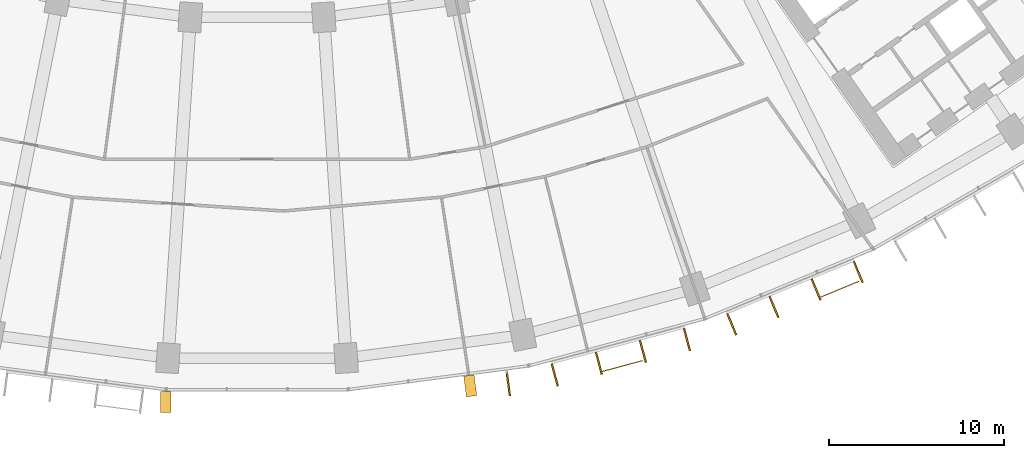
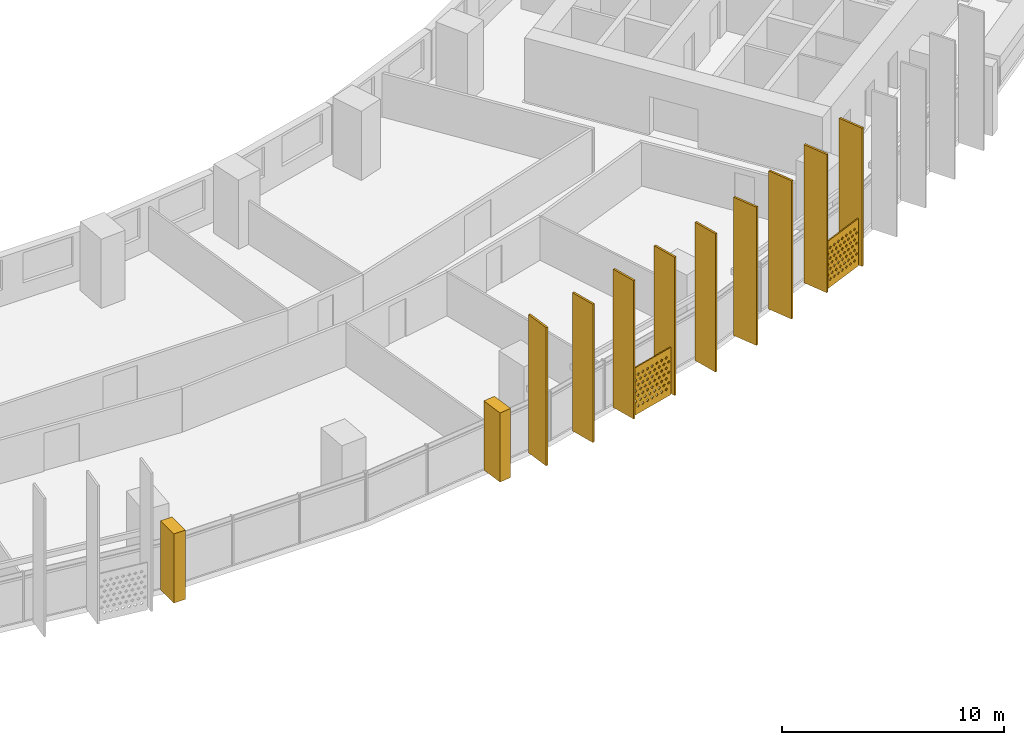
# One storey, part 30 of 32: 13 shading devices.
"""IFC4 building model written with IfcOpenShell, lengths in metres."""

from ifc_helpers import new_model, si_unit, direction, frame, origin, origin_2d, place, context, subcontext, project, spatial, polyline, rectangle, outline, extrude, material, material_profile, profile_set, type_object, element, save


model = new_model("IFC4")

# Units and contexts
model_context = context("Model", 3, precision=1e-05, world=origin(), true_north=direction((0.0, 1.0)))
body_context = subcontext(model_context, "Body", "Model", "MODEL_VIEW")
ifc_project = project(units=[si_unit("LENGTHUNIT", "METRE"), si_unit("AREAUNIT", "SQUARE_METRE"), si_unit("VOLUMEUNIT", "CUBIC_METRE"), si_unit("PLANEANGLEUNIT", "RADIAN"), si_unit("MASSUNIT", "GRAM", prefix="KILO")], contexts=[model_context])

# Site, building, storey
site_placement = place(None, origin())
site = spatial("IfcSite", under=ifc_project, at=site_placement, CompositionType="ELEMENT")
building_placement = place(site_placement, origin())
building = spatial("IfcBuilding", under=site, at=building_placement, Name="Qamariyya Broadcast Tower", CompositionType="ELEMENT")
storey_placement = place(building_placement, frame((0.0, 0.0, 70.89990234375)))
storey = spatial("IfcBuildingStorey", under=building, at=storey_placement, Name="L14", CompositionType="ELEMENT", Elevation=70.89990234375)

# Shading devices
ifc_material_1 = material(Name="Steel S355 powder coated deep red", Category="steel")
shading_device_type_1 = type_object("IfcShadingDeviceType", Name="Deep red frame, powder coated steel box section", PredefinedType="USERDEFINED", material=ifc_material_1)
shading_device_1_placement = place(storey_placement, origin())
element("IfcShadingDevice", 1, at=shading_device_1_placement, inside=storey, type_object=shading_device_type_1, Name="e-frm-B1-F3-posta-L14", ObjectType="FRAME", PredefinedType="USERDEFINED", context=body_context, shape_type="SweptSolid", body=[
    extrude(outline(polyline([(-5.50927734375, -79.4794921875), (-5.50927734375, -80.679443359375), (-4.909423828125, -80.679443359375), (-4.909423828125, -79.4794921875), (-5.50927734375, -79.4794921875)])), origin(), (0.0, 0.0, 1.0), 3.800048828125),
])
shading_device_2_placement = place(storey_placement, origin())
element("IfcShadingDevice", 2, at=shading_device_2_placement, inside=storey, type_object=shading_device_type_1, Name="e-frm-B1-F3-postb-L14", ObjectType="FRAME", PredefinedType="USERDEFINED", context=body_context, shape_type="SweptSolid", body=[
    extrude(outline(polyline([(11.79833984375, -78.612060546875), (11.954833984375, -79.8017578125), (12.5498046875, -79.723388671875), (12.39306640625, -78.53369140625), (11.79833984375, -78.612060546875)])), origin(), (0.0, 0.0, 1.0), 3.800048828125),
])
ifc_material_2 = material(Name="Perforated glazed terracotta", Category="masonry")
ifc_material_profile_1 = material_profile(ifc_material_2, outline(polyline([(-1.199951171875, -1.300048828125), (1.199951171875, -1.300048828125), (1.199951171875, 1.300048828125), (-1.199951171875, 1.300048828125), (-1.199951171875, -1.300048828125)]), holes=[polyline([(-0.81494140625, -0.86669921875), (-0.89990234375, -0.78173828125), (-0.985107421875, -0.86669921875), (-0.89990234375, -0.95166015625), (-0.81494140625, -0.86669921875)]), polyline([(-0.514892578125, -0.86669921875), (-0.60009765625, -0.78173828125), (-0.68505859375, -0.86669921875), (-0.60009765625, -0.95166015625), (-0.514892578125, -0.86669921875)]), polyline([(-0.215087890625, -0.86669921875), (-0.300048828125, -0.78173828125), (-0.385009765625, -0.86669921875), (-0.300048828125, -0.95166015625), (-0.215087890625, -0.86669921875)]), polyline([(0.0849609375, -0.86669921875), (0.0, -0.78173828125), (-0.0849609375, -0.86669921875), (0.0, -0.95166015625), (0.0849609375, -0.86669921875)]), polyline([(0.385009765625, -0.86669921875), (0.300048828125, -0.78173828125), (0.215087890625, -0.86669921875), (0.300048828125, -0.95166015625), (0.385009765625, -0.86669921875)]), polyline([(0.68505859375, -0.86669921875), (0.60009765625, -0.78173828125), (0.514892578125, -0.86669921875), (0.60009765625, -0.95166015625), (0.68505859375, -0.86669921875)]), polyline([(0.985107421875, -0.86669921875), (0.89990234375, -0.78173828125), (0.81494140625, -0.86669921875), (0.89990234375, -0.95166015625), (0.985107421875, -0.86669921875)]), polyline([(-0.965087890625, -0.577880859375), (-1.050048828125, -0.49267578125), (-1.135009765625, -0.577880859375), (-1.050048828125, -0.662841796875), (-0.965087890625, -0.577880859375)]), polyline([(-0.6650390625, -0.577880859375), (-0.75, -0.49267578125), (-0.8349609375, -0.577880859375), (-0.75, -0.662841796875), (-0.6650390625, -0.577880859375)]), polyline([(-0.364990234375, -0.577880859375), (-0.449951171875, -0.49267578125), (-0.534912109375, -0.577880859375), (-0.449951171875, -0.662841796875), (-0.364990234375, -0.577880859375)]), polyline([(-0.06494140625, -0.577880859375), (-0.14990234375, -0.49267578125), (-0.235107421875, -0.577880859375), (-0.14990234375, -0.662841796875), (-0.06494140625, -0.577880859375)]), polyline([(0.235107421875, -0.577880859375), (0.14990234375, -0.49267578125), (0.06494140625, -0.577880859375), (0.14990234375, -0.662841796875), (0.235107421875, -0.577880859375)]), polyline([(0.534912109375, -0.577880859375), (0.449951171875, -0.49267578125), (0.364990234375, -0.577880859375), (0.449951171875, -0.662841796875), (0.534912109375, -0.577880859375)]), polyline([(0.8349609375, -0.577880859375), (0.75, -0.49267578125), (0.6650390625, -0.577880859375), (0.75, -0.662841796875), (0.8349609375, -0.577880859375)]), polyline([(1.135009765625, -0.577880859375), (1.050048828125, -0.49267578125), (0.965087890625, -0.577880859375), (1.050048828125, -0.662841796875), (1.135009765625, -0.577880859375)]), polyline([(-0.81494140625, -0.288818359375), (-0.89990234375, -0.203857421875), (-0.985107421875, -0.288818359375), (-0.89990234375, -0.373779296875), (-0.81494140625, -0.288818359375)]), polyline([(-0.514892578125, -0.288818359375), (-0.60009765625, -0.203857421875), (-0.68505859375, -0.288818359375), (-0.60009765625, -0.373779296875), (-0.514892578125, -0.288818359375)]), polyline([(-0.215087890625, -0.288818359375), (-0.300048828125, -0.203857421875), (-0.385009765625, -0.288818359375), (-0.300048828125, -0.373779296875), (-0.215087890625, -0.288818359375)]), polyline([(0.0849609375, -0.288818359375), (0.0, -0.203857421875), (-0.0849609375, -0.288818359375), (0.0, -0.373779296875), (0.0849609375, -0.288818359375)]), polyline([(0.385009765625, -0.288818359375), (0.300048828125, -0.203857421875), (0.215087890625, -0.288818359375), (0.300048828125, -0.373779296875), (0.385009765625, -0.288818359375)]), polyline([(0.68505859375, -0.288818359375), (0.60009765625, -0.203857421875), (0.514892578125, -0.288818359375), (0.60009765625, -0.373779296875), (0.68505859375, -0.288818359375)]), polyline([(0.985107421875, -0.288818359375), (0.89990234375, -0.203857421875), (0.81494140625, -0.288818359375), (0.89990234375, -0.373779296875), (0.985107421875, -0.288818359375)]), polyline([(-0.965087890625, 0.0), (-1.050048828125, 0.0849609375), (-1.135009765625, 0.0), (-1.050048828125, -0.0849609375), (-0.965087890625, 0.0)]), polyline([(-0.6650390625, 0.0), (-0.75, 0.0849609375), (-0.8349609375, 0.0), (-0.75, -0.0849609375), (-0.6650390625, 0.0)]), polyline([(-0.364990234375, 0.0), (-0.449951171875, 0.0849609375), (-0.534912109375, 0.0), (-0.449951171875, -0.0849609375), (-0.364990234375, 0.0)]), polyline([(-0.06494140625, 0.0), (-0.14990234375, 0.0849609375), (-0.235107421875, 0.0), (-0.14990234375, -0.0849609375), (-0.06494140625, 0.0)]), polyline([(0.235107421875, 0.0), (0.14990234375, 0.0849609375), (0.06494140625, 0.0), (0.14990234375, -0.0849609375), (0.235107421875, 0.0)]), polyline([(0.534912109375, 0.0), (0.449951171875, 0.0849609375), (0.364990234375, 0.0), (0.449951171875, -0.0849609375), (0.534912109375, 0.0)]), polyline([(0.8349609375, 0.0), (0.75, 0.0849609375), (0.6650390625, 0.0), (0.75, -0.0849609375), (0.8349609375, 0.0)]), polyline([(1.135009765625, 0.0), (1.050048828125, 0.0849609375), (0.965087890625, 0.0), (1.050048828125, -0.0849609375), (1.135009765625, 0.0)]), polyline([(-0.81494140625, 0.288818359375), (-0.89990234375, 0.373779296875), (-0.985107421875, 0.288818359375), (-0.89990234375, 0.203857421875), (-0.81494140625, 0.288818359375)]), polyline([(-0.514892578125, 0.288818359375), (-0.60009765625, 0.373779296875), (-0.68505859375, 0.288818359375), (-0.60009765625, 0.203857421875), (-0.514892578125, 0.288818359375)]), polyline([(-0.215087890625, 0.288818359375), (-0.300048828125, 0.373779296875), (-0.385009765625, 0.288818359375), (-0.300048828125, 0.203857421875), (-0.215087890625, 0.288818359375)]), polyline([(0.0849609375, 0.288818359375), (0.0, 0.373779296875), (-0.0849609375, 0.288818359375), (0.0, 0.203857421875), (0.0849609375, 0.288818359375)]), polyline([(0.385009765625, 0.288818359375), (0.300048828125, 0.373779296875), (0.215087890625, 0.288818359375), (0.300048828125, 0.203857421875), (0.385009765625, 0.288818359375)]), polyline([(0.68505859375, 0.288818359375), (0.60009765625, 0.373779296875), (0.514892578125, 0.288818359375), (0.60009765625, 0.203857421875), (0.68505859375, 0.288818359375)]), polyline([(0.985107421875, 0.288818359375), (0.89990234375, 0.373779296875), (0.81494140625, 0.288818359375), (0.89990234375, 0.203857421875), (0.985107421875, 0.288818359375)]), polyline([(-0.965087890625, 0.577880859375), (-1.050048828125, 0.662841796875), (-1.135009765625, 0.577880859375), (-1.050048828125, 0.49267578125), (-0.965087890625, 0.577880859375)]), polyline([(-0.6650390625, 0.577880859375), (-0.75, 0.662841796875), (-0.8349609375, 0.577880859375), (-0.75, 0.49267578125), (-0.6650390625, 0.577880859375)]), polyline([(-0.364990234375, 0.577880859375), (-0.449951171875, 0.662841796875), (-0.534912109375, 0.577880859375), (-0.449951171875, 0.49267578125), (-0.364990234375, 0.577880859375)]), polyline([(-0.06494140625, 0.577880859375), (-0.14990234375, 0.662841796875), (-0.235107421875, 0.577880859375), (-0.14990234375, 0.49267578125), (-0.06494140625, 0.577880859375)]), polyline([(0.235107421875, 0.577880859375), (0.14990234375, 0.662841796875), (0.06494140625, 0.577880859375), (0.14990234375, 0.49267578125), (0.235107421875, 0.577880859375)]), polyline([(0.534912109375, 0.577880859375), (0.449951171875, 0.662841796875), (0.364990234375, 0.577880859375), (0.449951171875, 0.49267578125), (0.534912109375, 0.577880859375)]), polyline([(0.8349609375, 0.577880859375), (0.75, 0.662841796875), (0.6650390625, 0.577880859375), (0.75, 0.49267578125), (0.8349609375, 0.577880859375)]), polyline([(1.135009765625, 0.577880859375), (1.050048828125, 0.662841796875), (0.965087890625, 0.577880859375), (1.050048828125, 0.49267578125), (1.135009765625, 0.577880859375)]), polyline([(-0.81494140625, 0.86669921875), (-0.89990234375, 0.95166015625), (-0.985107421875, 0.86669921875), (-0.89990234375, 0.78173828125), (-0.81494140625, 0.86669921875)]), polyline([(-0.514892578125, 0.86669921875), (-0.60009765625, 0.95166015625), (-0.68505859375, 0.86669921875), (-0.60009765625, 0.78173828125), (-0.514892578125, 0.86669921875)]), polyline([(-0.215087890625, 0.86669921875), (-0.300048828125, 0.95166015625), (-0.385009765625, 0.86669921875), (-0.300048828125, 0.78173828125), (-0.215087890625, 0.86669921875)]), polyline([(0.0849609375, 0.86669921875), (0.0, 0.95166015625), (-0.0849609375, 0.86669921875), (0.0, 0.78173828125), (0.0849609375, 0.86669921875)]), polyline([(0.385009765625, 0.86669921875), (0.300048828125, 0.95166015625), (0.215087890625, 0.86669921875), (0.300048828125, 0.78173828125), (0.385009765625, 0.86669921875)]), polyline([(0.68505859375, 0.86669921875), (0.60009765625, 0.95166015625), (0.514892578125, 0.86669921875), (0.60009765625, 0.78173828125), (0.68505859375, 0.86669921875)]), polyline([(0.985107421875, 0.86669921875), (0.89990234375, 0.95166015625), (0.81494140625, 0.86669921875), (0.89990234375, 0.78173828125), (0.985107421875, 0.86669921875)])]))
ifc_profile_set_1 = profile_set([ifc_material_profile_1], Name="Perforated glazed terracotta")
shading_device_type_2 = type_object("IfcShadingDeviceType", Name="Perforated terracotta screen 2400 x 2600", PredefinedType="USERDEFINED", material=ifc_profile_set_1)
shading_device_3_placement = place(storey_placement, frame((20.848876953125, -78.011474609375, 1.35009765625), z_axis=(0.259682438219, -0.965694067125, 0.0), x_axis=(0.965694067125, 0.259682438219, 0.0)))
element("IfcShadingDevice", 3, at=shading_device_3_placement, inside=storey, type_object=shading_device_type_2, Name="e-scr-L14-10-1", ObjectType="SCREEN", PredefinedType="USERDEFINED", context=body_context, shape_type="SweptSolid", body=[
    extrude(outline(polyline([(-1.199951171875, -1.300048828125), (1.199951171875, -1.300048828125), (1.199951171875, 1.300048828125), (-1.199951171875, 1.300048828125), (-1.199951171875, -1.300048828125)]), holes=[polyline([(-0.81494140625, -0.86669921875), (-0.89990234375, -0.78173828125), (-0.985107421875, -0.86669921875), (-0.89990234375, -0.95166015625), (-0.81494140625, -0.86669921875)]), polyline([(-0.514892578125, -0.86669921875), (-0.60009765625, -0.78173828125), (-0.68505859375, -0.86669921875), (-0.60009765625, -0.95166015625), (-0.514892578125, -0.86669921875)]), polyline([(-0.215087890625, -0.86669921875), (-0.300048828125, -0.78173828125), (-0.385009765625, -0.86669921875), (-0.300048828125, -0.95166015625), (-0.215087890625, -0.86669921875)]), polyline([(0.0849609375, -0.86669921875), (0.0, -0.78173828125), (-0.0849609375, -0.86669921875), (0.0, -0.95166015625), (0.0849609375, -0.86669921875)]), polyline([(0.385009765625, -0.86669921875), (0.300048828125, -0.78173828125), (0.215087890625, -0.86669921875), (0.300048828125, -0.95166015625), (0.385009765625, -0.86669921875)]), polyline([(0.68505859375, -0.86669921875), (0.60009765625, -0.78173828125), (0.514892578125, -0.86669921875), (0.60009765625, -0.95166015625), (0.68505859375, -0.86669921875)]), polyline([(0.985107421875, -0.86669921875), (0.89990234375, -0.78173828125), (0.81494140625, -0.86669921875), (0.89990234375, -0.95166015625), (0.985107421875, -0.86669921875)]), polyline([(-0.965087890625, -0.577880859375), (-1.050048828125, -0.49267578125), (-1.135009765625, -0.577880859375), (-1.050048828125, -0.662841796875), (-0.965087890625, -0.577880859375)]), polyline([(-0.6650390625, -0.577880859375), (-0.75, -0.49267578125), (-0.8349609375, -0.577880859375), (-0.75, -0.662841796875), (-0.6650390625, -0.577880859375)]), polyline([(-0.364990234375, -0.577880859375), (-0.449951171875, -0.49267578125), (-0.534912109375, -0.577880859375), (-0.449951171875, -0.662841796875), (-0.364990234375, -0.577880859375)]), polyline([(-0.06494140625, -0.577880859375), (-0.14990234375, -0.49267578125), (-0.235107421875, -0.577880859375), (-0.14990234375, -0.662841796875), (-0.06494140625, -0.577880859375)]), polyline([(0.235107421875, -0.577880859375), (0.14990234375, -0.49267578125), (0.06494140625, -0.577880859375), (0.14990234375, -0.662841796875), (0.235107421875, -0.577880859375)]), polyline([(0.534912109375, -0.577880859375), (0.449951171875, -0.49267578125), (0.364990234375, -0.577880859375), (0.449951171875, -0.662841796875), (0.534912109375, -0.577880859375)]), polyline([(0.8349609375, -0.577880859375), (0.75, -0.49267578125), (0.6650390625, -0.577880859375), (0.75, -0.662841796875), (0.8349609375, -0.577880859375)]), polyline([(1.135009765625, -0.577880859375), (1.050048828125, -0.49267578125), (0.965087890625, -0.577880859375), (1.050048828125, -0.662841796875), (1.135009765625, -0.577880859375)]), polyline([(-0.81494140625, -0.288818359375), (-0.89990234375, -0.203857421875), (-0.985107421875, -0.288818359375), (-0.89990234375, -0.373779296875), (-0.81494140625, -0.288818359375)]), polyline([(-0.514892578125, -0.288818359375), (-0.60009765625, -0.203857421875), (-0.68505859375, -0.288818359375), (-0.60009765625, -0.373779296875), (-0.514892578125, -0.288818359375)]), polyline([(-0.215087890625, -0.288818359375), (-0.300048828125, -0.203857421875), (-0.385009765625, -0.288818359375), (-0.300048828125, -0.373779296875), (-0.215087890625, -0.288818359375)]), polyline([(0.0849609375, -0.288818359375), (0.0, -0.203857421875), (-0.0849609375, -0.288818359375), (0.0, -0.373779296875), (0.0849609375, -0.288818359375)]), polyline([(0.385009765625, -0.288818359375), (0.300048828125, -0.203857421875), (0.215087890625, -0.288818359375), (0.300048828125, -0.373779296875), (0.385009765625, -0.288818359375)]), polyline([(0.68505859375, -0.288818359375), (0.60009765625, -0.203857421875), (0.514892578125, -0.288818359375), (0.60009765625, -0.373779296875), (0.68505859375, -0.288818359375)]), polyline([(0.985107421875, -0.288818359375), (0.89990234375, -0.203857421875), (0.81494140625, -0.288818359375), (0.89990234375, -0.373779296875), (0.985107421875, -0.288818359375)]), polyline([(-0.965087890625, 0.0), (-1.050048828125, 0.0849609375), (-1.135009765625, 0.0), (-1.050048828125, -0.0849609375), (-0.965087890625, 0.0)]), polyline([(-0.6650390625, 0.0), (-0.75, 0.0849609375), (-0.8349609375, 0.0), (-0.75, -0.0849609375), (-0.6650390625, 0.0)]), polyline([(-0.364990234375, 0.0), (-0.449951171875, 0.0849609375), (-0.534912109375, 0.0), (-0.449951171875, -0.0849609375), (-0.364990234375, 0.0)]), polyline([(-0.06494140625, 0.0), (-0.14990234375, 0.0849609375), (-0.235107421875, 0.0), (-0.14990234375, -0.0849609375), (-0.06494140625, 0.0)]), polyline([(0.235107421875, 0.0), (0.14990234375, 0.0849609375), (0.06494140625, 0.0), (0.14990234375, -0.0849609375), (0.235107421875, 0.0)]), polyline([(0.534912109375, 0.0), (0.449951171875, 0.0849609375), (0.364990234375, 0.0), (0.449951171875, -0.0849609375), (0.534912109375, 0.0)]), polyline([(0.8349609375, 0.0), (0.75, 0.0849609375), (0.6650390625, 0.0), (0.75, -0.0849609375), (0.8349609375, 0.0)]), polyline([(1.135009765625, 0.0), (1.050048828125, 0.0849609375), (0.965087890625, 0.0), (1.050048828125, -0.0849609375), (1.135009765625, 0.0)]), polyline([(-0.81494140625, 0.288818359375), (-0.89990234375, 0.373779296875), (-0.985107421875, 0.288818359375), (-0.89990234375, 0.203857421875), (-0.81494140625, 0.288818359375)]), polyline([(-0.514892578125, 0.288818359375), (-0.60009765625, 0.373779296875), (-0.68505859375, 0.288818359375), (-0.60009765625, 0.203857421875), (-0.514892578125, 0.288818359375)]), polyline([(-0.215087890625, 0.288818359375), (-0.300048828125, 0.373779296875), (-0.385009765625, 0.288818359375), (-0.300048828125, 0.203857421875), (-0.215087890625, 0.288818359375)]), polyline([(0.0849609375, 0.288818359375), (0.0, 0.373779296875), (-0.0849609375, 0.288818359375), (0.0, 0.203857421875), (0.0849609375, 0.288818359375)]), polyline([(0.385009765625, 0.288818359375), (0.300048828125, 0.373779296875), (0.215087890625, 0.288818359375), (0.300048828125, 0.203857421875), (0.385009765625, 0.288818359375)]), polyline([(0.68505859375, 0.288818359375), (0.60009765625, 0.373779296875), (0.514892578125, 0.288818359375), (0.60009765625, 0.203857421875), (0.68505859375, 0.288818359375)]), polyline([(0.985107421875, 0.288818359375), (0.89990234375, 0.373779296875), (0.81494140625, 0.288818359375), (0.89990234375, 0.203857421875), (0.985107421875, 0.288818359375)]), polyline([(-0.965087890625, 0.577880859375), (-1.050048828125, 0.662841796875), (-1.135009765625, 0.577880859375), (-1.050048828125, 0.49267578125), (-0.965087890625, 0.577880859375)]), polyline([(-0.6650390625, 0.577880859375), (-0.75, 0.662841796875), (-0.8349609375, 0.577880859375), (-0.75, 0.49267578125), (-0.6650390625, 0.577880859375)]), polyline([(-0.364990234375, 0.577880859375), (-0.449951171875, 0.662841796875), (-0.534912109375, 0.577880859375), (-0.449951171875, 0.49267578125), (-0.364990234375, 0.577880859375)]), polyline([(-0.06494140625, 0.577880859375), (-0.14990234375, 0.662841796875), (-0.235107421875, 0.577880859375), (-0.14990234375, 0.49267578125), (-0.06494140625, 0.577880859375)]), polyline([(0.235107421875, 0.577880859375), (0.14990234375, 0.662841796875), (0.06494140625, 0.577880859375), (0.14990234375, 0.49267578125), (0.235107421875, 0.577880859375)]), polyline([(0.534912109375, 0.577880859375), (0.449951171875, 0.662841796875), (0.364990234375, 0.577880859375), (0.449951171875, 0.49267578125), (0.534912109375, 0.577880859375)]), polyline([(0.8349609375, 0.577880859375), (0.75, 0.662841796875), (0.6650390625, 0.577880859375), (0.75, 0.49267578125), (0.8349609375, 0.577880859375)]), polyline([(1.135009765625, 0.577880859375), (1.050048828125, 0.662841796875), (0.965087890625, 0.577880859375), (1.050048828125, 0.49267578125), (1.135009765625, 0.577880859375)]), polyline([(-0.81494140625, 0.86669921875), (-0.89990234375, 0.95166015625), (-0.985107421875, 0.86669921875), (-0.89990234375, 0.78173828125), (-0.81494140625, 0.86669921875)]), polyline([(-0.514892578125, 0.86669921875), (-0.60009765625, 0.95166015625), (-0.68505859375, 0.86669921875), (-0.60009765625, 0.78173828125), (-0.514892578125, 0.86669921875)]), polyline([(-0.215087890625, 0.86669921875), (-0.300048828125, 0.95166015625), (-0.385009765625, 0.86669921875), (-0.300048828125, 0.78173828125), (-0.215087890625, 0.86669921875)]), polyline([(0.0849609375, 0.86669921875), (0.0, 0.95166015625), (-0.0849609375, 0.86669921875), (0.0, 0.78173828125), (0.0849609375, 0.86669921875)]), polyline([(0.385009765625, 0.86669921875), (0.300048828125, 0.95166015625), (0.215087890625, 0.86669921875), (0.300048828125, 0.78173828125), (0.385009765625, 0.86669921875)]), polyline([(0.68505859375, 0.86669921875), (0.60009765625, 0.95166015625), (0.514892578125, 0.86669921875), (0.60009765625, 0.78173828125), (0.68505859375, 0.86669921875)]), polyline([(0.985107421875, 0.86669921875), (0.89990234375, 0.95166015625), (0.81494140625, 0.86669921875), (0.89990234375, 0.78173828125), (0.985107421875, 0.86669921875)])]), origin(), (0.0, 0.0, 1.0), 0.06005859375),
])
shading_device_4_placement = place(storey_placement, frame((33.259521484375, -73.6259765625, 1.35009765625), z_axis=(0.382591441855, -0.923917630863, 0.0), x_axis=(0.923917630863, 0.382591441855, 0.0)))
element("IfcShadingDevice", 4, at=shading_device_4_placement, inside=storey, type_object=shading_device_type_2, Name="e-scr-L14-11-2", ObjectType="SCREEN", PredefinedType="USERDEFINED", context=body_context, shape_type="SweptSolid", body=[
    extrude(outline(polyline([(-1.199951171875, -1.300048828125), (1.199951171875, -1.300048828125), (1.199951171875, 1.300048828125), (-1.199951171875, 1.300048828125), (-1.199951171875, -1.300048828125)]), holes=[polyline([(-0.81494140625, -0.86669921875), (-0.89990234375, -0.78173828125), (-0.985107421875, -0.86669921875), (-0.89990234375, -0.95166015625), (-0.81494140625, -0.86669921875)]), polyline([(-0.514892578125, -0.86669921875), (-0.60009765625, -0.78173828125), (-0.68505859375, -0.86669921875), (-0.60009765625, -0.95166015625), (-0.514892578125, -0.86669921875)]), polyline([(-0.215087890625, -0.86669921875), (-0.300048828125, -0.78173828125), (-0.385009765625, -0.86669921875), (-0.300048828125, -0.95166015625), (-0.215087890625, -0.86669921875)]), polyline([(0.0849609375, -0.86669921875), (0.0, -0.78173828125), (-0.0849609375, -0.86669921875), (0.0, -0.95166015625), (0.0849609375, -0.86669921875)]), polyline([(0.385009765625, -0.86669921875), (0.300048828125, -0.78173828125), (0.215087890625, -0.86669921875), (0.300048828125, -0.95166015625), (0.385009765625, -0.86669921875)]), polyline([(0.68505859375, -0.86669921875), (0.60009765625, -0.78173828125), (0.514892578125, -0.86669921875), (0.60009765625, -0.95166015625), (0.68505859375, -0.86669921875)]), polyline([(0.985107421875, -0.86669921875), (0.89990234375, -0.78173828125), (0.81494140625, -0.86669921875), (0.89990234375, -0.95166015625), (0.985107421875, -0.86669921875)]), polyline([(-0.965087890625, -0.577880859375), (-1.050048828125, -0.49267578125), (-1.135009765625, -0.577880859375), (-1.050048828125, -0.662841796875), (-0.965087890625, -0.577880859375)]), polyline([(-0.6650390625, -0.577880859375), (-0.75, -0.49267578125), (-0.8349609375, -0.577880859375), (-0.75, -0.662841796875), (-0.6650390625, -0.577880859375)]), polyline([(-0.364990234375, -0.577880859375), (-0.449951171875, -0.49267578125), (-0.534912109375, -0.577880859375), (-0.449951171875, -0.662841796875), (-0.364990234375, -0.577880859375)]), polyline([(-0.06494140625, -0.577880859375), (-0.14990234375, -0.49267578125), (-0.235107421875, -0.577880859375), (-0.14990234375, -0.662841796875), (-0.06494140625, -0.577880859375)]), polyline([(0.235107421875, -0.577880859375), (0.14990234375, -0.49267578125), (0.06494140625, -0.577880859375), (0.14990234375, -0.662841796875), (0.235107421875, -0.577880859375)]), polyline([(0.534912109375, -0.577880859375), (0.449951171875, -0.49267578125), (0.364990234375, -0.577880859375), (0.449951171875, -0.662841796875), (0.534912109375, -0.577880859375)]), polyline([(0.8349609375, -0.577880859375), (0.75, -0.49267578125), (0.6650390625, -0.577880859375), (0.75, -0.662841796875), (0.8349609375, -0.577880859375)]), polyline([(1.135009765625, -0.577880859375), (1.050048828125, -0.49267578125), (0.965087890625, -0.577880859375), (1.050048828125, -0.662841796875), (1.135009765625, -0.577880859375)]), polyline([(-0.81494140625, -0.288818359375), (-0.89990234375, -0.203857421875), (-0.985107421875, -0.288818359375), (-0.89990234375, -0.373779296875), (-0.81494140625, -0.288818359375)]), polyline([(-0.514892578125, -0.288818359375), (-0.60009765625, -0.203857421875), (-0.68505859375, -0.288818359375), (-0.60009765625, -0.373779296875), (-0.514892578125, -0.288818359375)]), polyline([(-0.215087890625, -0.288818359375), (-0.300048828125, -0.203857421875), (-0.385009765625, -0.288818359375), (-0.300048828125, -0.373779296875), (-0.215087890625, -0.288818359375)]), polyline([(0.0849609375, -0.288818359375), (0.0, -0.203857421875), (-0.0849609375, -0.288818359375), (0.0, -0.373779296875), (0.0849609375, -0.288818359375)]), polyline([(0.385009765625, -0.288818359375), (0.300048828125, -0.203857421875), (0.215087890625, -0.288818359375), (0.300048828125, -0.373779296875), (0.385009765625, -0.288818359375)]), polyline([(0.68505859375, -0.288818359375), (0.60009765625, -0.203857421875), (0.514892578125, -0.288818359375), (0.60009765625, -0.373779296875), (0.68505859375, -0.288818359375)]), polyline([(0.985107421875, -0.288818359375), (0.89990234375, -0.203857421875), (0.81494140625, -0.288818359375), (0.89990234375, -0.373779296875), (0.985107421875, -0.288818359375)]), polyline([(-0.965087890625, 0.0), (-1.050048828125, 0.0849609375), (-1.135009765625, 0.0), (-1.050048828125, -0.0849609375), (-0.965087890625, 0.0)]), polyline([(-0.6650390625, 0.0), (-0.75, 0.0849609375), (-0.8349609375, 0.0), (-0.75, -0.0849609375), (-0.6650390625, 0.0)]), polyline([(-0.364990234375, 0.0), (-0.449951171875, 0.0849609375), (-0.534912109375, 0.0), (-0.449951171875, -0.0849609375), (-0.364990234375, 0.0)]), polyline([(-0.06494140625, 0.0), (-0.14990234375, 0.0849609375), (-0.235107421875, 0.0), (-0.14990234375, -0.0849609375), (-0.06494140625, 0.0)]), polyline([(0.235107421875, 0.0), (0.14990234375, 0.0849609375), (0.06494140625, 0.0), (0.14990234375, -0.0849609375), (0.235107421875, 0.0)]), polyline([(0.534912109375, 0.0), (0.449951171875, 0.0849609375), (0.364990234375, 0.0), (0.449951171875, -0.0849609375), (0.534912109375, 0.0)]), polyline([(0.8349609375, 0.0), (0.75, 0.0849609375), (0.6650390625, 0.0), (0.75, -0.0849609375), (0.8349609375, 0.0)]), polyline([(1.135009765625, 0.0), (1.050048828125, 0.0849609375), (0.965087890625, 0.0), (1.050048828125, -0.0849609375), (1.135009765625, 0.0)]), polyline([(-0.81494140625, 0.288818359375), (-0.89990234375, 0.373779296875), (-0.985107421875, 0.288818359375), (-0.89990234375, 0.203857421875), (-0.81494140625, 0.288818359375)]), polyline([(-0.514892578125, 0.288818359375), (-0.60009765625, 0.373779296875), (-0.68505859375, 0.288818359375), (-0.60009765625, 0.203857421875), (-0.514892578125, 0.288818359375)]), polyline([(-0.215087890625, 0.288818359375), (-0.300048828125, 0.373779296875), (-0.385009765625, 0.288818359375), (-0.300048828125, 0.203857421875), (-0.215087890625, 0.288818359375)]), polyline([(0.0849609375, 0.288818359375), (0.0, 0.373779296875), (-0.0849609375, 0.288818359375), (0.0, 0.203857421875), (0.0849609375, 0.288818359375)]), polyline([(0.385009765625, 0.288818359375), (0.300048828125, 0.373779296875), (0.215087890625, 0.288818359375), (0.300048828125, 0.203857421875), (0.385009765625, 0.288818359375)]), polyline([(0.68505859375, 0.288818359375), (0.60009765625, 0.373779296875), (0.514892578125, 0.288818359375), (0.60009765625, 0.203857421875), (0.68505859375, 0.288818359375)]), polyline([(0.985107421875, 0.288818359375), (0.89990234375, 0.373779296875), (0.81494140625, 0.288818359375), (0.89990234375, 0.203857421875), (0.985107421875, 0.288818359375)]), polyline([(-0.965087890625, 0.577880859375), (-1.050048828125, 0.662841796875), (-1.135009765625, 0.577880859375), (-1.050048828125, 0.49267578125), (-0.965087890625, 0.577880859375)]), polyline([(-0.6650390625, 0.577880859375), (-0.75, 0.662841796875), (-0.8349609375, 0.577880859375), (-0.75, 0.49267578125), (-0.6650390625, 0.577880859375)]), polyline([(-0.364990234375, 0.577880859375), (-0.449951171875, 0.662841796875), (-0.534912109375, 0.577880859375), (-0.449951171875, 0.49267578125), (-0.364990234375, 0.577880859375)]), polyline([(-0.06494140625, 0.577880859375), (-0.14990234375, 0.662841796875), (-0.235107421875, 0.577880859375), (-0.14990234375, 0.49267578125), (-0.06494140625, 0.577880859375)]), polyline([(0.235107421875, 0.577880859375), (0.14990234375, 0.662841796875), (0.06494140625, 0.577880859375), (0.14990234375, 0.49267578125), (0.235107421875, 0.577880859375)]), polyline([(0.534912109375, 0.577880859375), (0.449951171875, 0.662841796875), (0.364990234375, 0.577880859375), (0.449951171875, 0.49267578125), (0.534912109375, 0.577880859375)]), polyline([(0.8349609375, 0.577880859375), (0.75, 0.662841796875), (0.6650390625, 0.577880859375), (0.75, 0.49267578125), (0.8349609375, 0.577880859375)]), polyline([(1.135009765625, 0.577880859375), (1.050048828125, 0.662841796875), (0.965087890625, 0.577880859375), (1.050048828125, 0.49267578125), (1.135009765625, 0.577880859375)]), polyline([(-0.81494140625, 0.86669921875), (-0.89990234375, 0.95166015625), (-0.985107421875, 0.86669921875), (-0.89990234375, 0.78173828125), (-0.81494140625, 0.86669921875)]), polyline([(-0.514892578125, 0.86669921875), (-0.60009765625, 0.95166015625), (-0.68505859375, 0.86669921875), (-0.60009765625, 0.78173828125), (-0.514892578125, 0.86669921875)]), polyline([(-0.215087890625, 0.86669921875), (-0.300048828125, 0.95166015625), (-0.385009765625, 0.86669921875), (-0.300048828125, 0.78173828125), (-0.215087890625, 0.86669921875)]), polyline([(0.0849609375, 0.86669921875), (0.0, 0.95166015625), (-0.0849609375, 0.86669921875), (0.0, 0.78173828125), (0.0849609375, 0.86669921875)]), polyline([(0.385009765625, 0.86669921875), (0.300048828125, 0.95166015625), (0.215087890625, 0.86669921875), (0.300048828125, 0.78173828125), (0.385009765625, 0.86669921875)]), polyline([(0.68505859375, 0.86669921875), (0.60009765625, 0.95166015625), (0.514892578125, 0.86669921875), (0.60009765625, 0.78173828125), (0.68505859375, 0.86669921875)]), polyline([(0.985107421875, 0.86669921875), (0.89990234375, 0.95166015625), (0.81494140625, 0.86669921875), (0.89990234375, 0.78173828125), (0.985107421875, 0.86669921875)])]), origin(), (0.0, 0.0, 1.0), 0.06005859375),
])
ifc_material_3 = material(Name="Glazed terracotta", Category="masonry")
ifc_material_profile_2 = material_profile(ifc_material_3, rectangle(XDim=1.300048828125, YDim=0.10009765625, at=origin_2d()))
ifc_profile_set_2 = profile_set([ifc_material_profile_2], Name="Glazed terracotta")
shading_device_type_3 = type_object("IfcShadingDeviceType", Name="Terracotta fin 100 x 1300", PredefinedType="USERDEFINED", material=ifc_profile_set_2)
for number, where, z_axis, x_axis, name in (
    (5, (14.35205078125, -79.082763671875, 0.0), (0.0, 0.0, 1.0), (0.13052619222, -0.991444861374, 0.0), "e-fin-L14-09-3"),
    (6, (17.00390625, -78.55517578125, 0.0), (0.0, 0.0, 1.0), (0.258819045103, -0.965925826289, 0.0), "e-fin-L14-10-0"),
    (7, (19.519775390625, -77.881103515625, 0.0), (0.0, 0.0, 1.0), (0.258819045103, -0.965925826289, 0.0), "e-fin-L14-10-1"),
    (8, (22.035888671875, -77.20703125, 0.0), (0.0, 0.0, 1.0), (0.258819045103, -0.965925826289, 0.0), "e-fin-L14-10-2"),
    (9, (24.5517578125, -76.53271484375, 0.0), (0.0, 0.0, 1.0), (0.258819045103, -0.965925826289, 0.0), "e-fin-L14-10-3"),
    (10, (27.112060546875, -75.663818359375, 0.0), (0.0, 0.0, 1.0), (0.382683432365, -0.923879532511, 0.0), "e-fin-L14-11-0"),
    (11, (29.518310546875, -74.6669921875, 0.0), (0.0, 0.0, 1.0), (0.382683432365, -0.923879532511, 0.0), "e-fin-L14-11-1"),
    (12, (31.9248046875, -73.670166015625, 0.0), (0.0, 0.0, 1.0), (0.382683432365, -0.923879532511, 0.0), "e-fin-L14-11-2"),
    (13, (34.331298828125, -72.67333984375, 0.0), (0.0, 0.0, 1.0), (0.382683432365, -0.923879532511, 0.0), "e-fin-L14-11-3"),
):
    element("IfcShadingDevice", number, at=place(storey_placement, frame(where, z_axis=z_axis, x_axis=x_axis)), inside=storey, type_object=shading_device_type_3, Name=name, ObjectType="FIN", PredefinedType="USERDEFINED", context=body_context, shape_type="SweptSolid", body=[
        extrude(rectangle(XDim=1.300048828125, YDim=0.10009765625, at=origin_2d()), origin(), (0.0, 0.0, 1.0), 7.60009765625),
    ])

save(model, "model.ifc")
